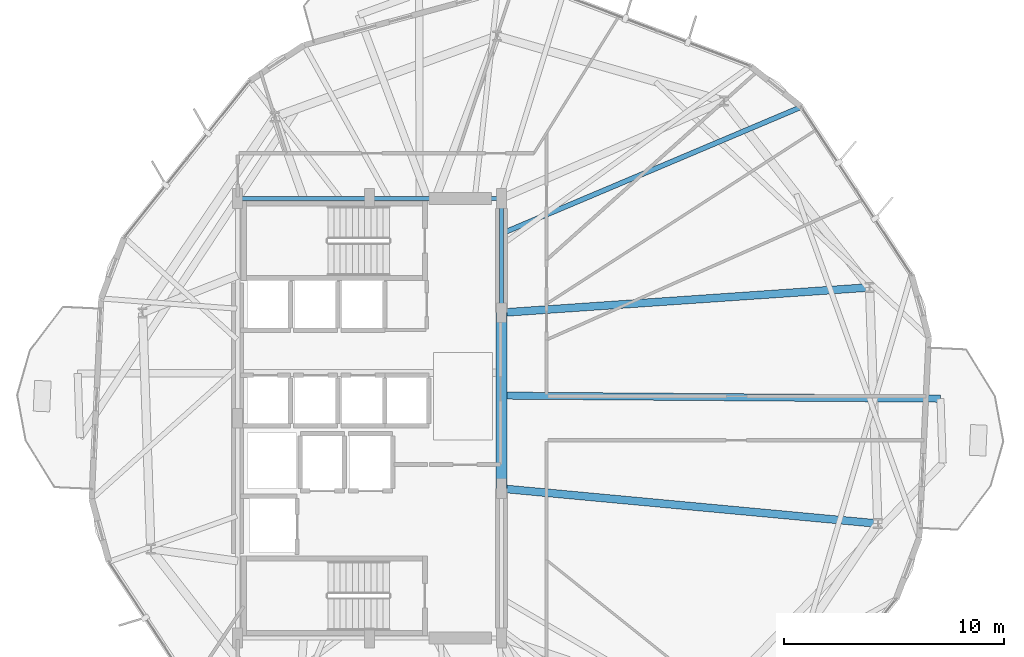
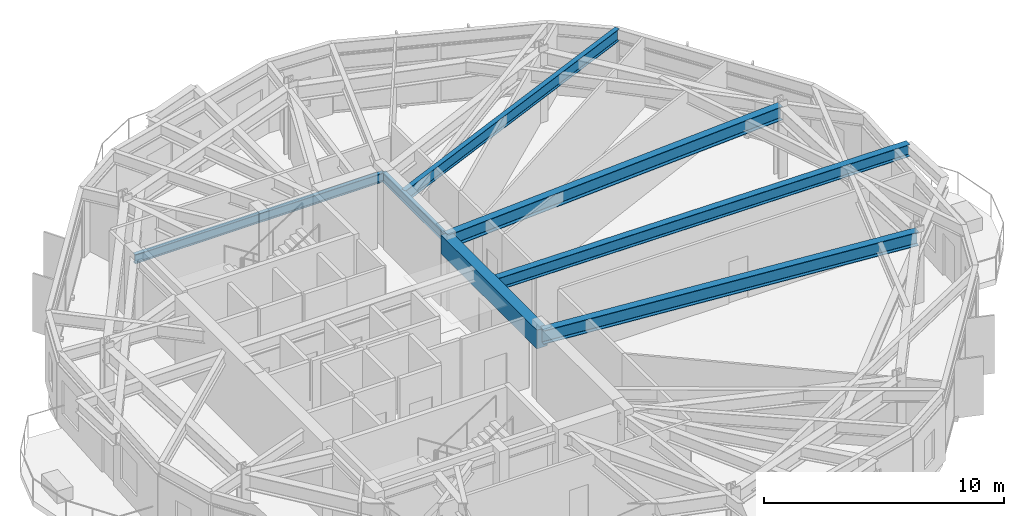
# One storey, part 7 of 25: 8 beams.
"""IFC4 building model written with IfcOpenShell, lengths in metres."""

from ifc_helpers import new_model, si_unit, direction, frame, origin, origin_2d, place, context, subcontext, project, spatial, rectangle, i_section, extrude, material, material_profile, profile_set, type_object, element, save


model = new_model("IFC4")

# Units and contexts
model_context = context("Model", 3, precision=1e-05, world=origin(), true_north=direction((0.0, 1.0)))
body_context = subcontext(model_context, "Body", "Model", "MODEL_VIEW")
ifc_project = project(units=[si_unit("LENGTHUNIT", "METRE"), si_unit("AREAUNIT", "SQUARE_METRE"), si_unit("VOLUMEUNIT", "CUBIC_METRE"), si_unit("PLANEANGLEUNIT", "RADIAN"), si_unit("MASSUNIT", "GRAM", prefix="KILO")], contexts=[model_context])

# Site, building, storey
site_placement = place(None, origin())
site = spatial("IfcSite", under=ifc_project, at=site_placement, CompositionType="ELEMENT")
building_placement = place(site_placement, origin())
building = spatial("IfcBuilding", under=site, at=building_placement, Name="Soratama Intermodal Tower", CompositionType="ELEMENT")
storey_placement = place(building_placement, frame((0.0, 0.0, 87.39990234375)))
storey = spatial("IfcBuildingStorey", under=building, at=storey_placement, Name="L20", CompositionType="ELEMENT", Elevation=87.39990234375)

# Beams
ifc_material_1 = material(Name="Structural steel ASTM A992 Grade 50", Category="steel")
ifc_material_profile_1 = material_profile(ifc_material_1, i_section(OverallWidth=0.324951171875, OverallDepth=0.615966796875, WebThickness=0.013916015625, FlangeThickness=0.021484375, FilletRadius=0.013916015625, at=origin_2d()), Name="W24X117")
ifc_profile_set_1 = profile_set([ifc_material_profile_1], Name="Structural steel ASTM A992 Grade 50")
beam_type_1 = type_object("IfcBeamType", Name="BM-CANT-W24X117", PredefinedType="BEAM", material=ifc_profile_set_1)
beam_1_placement = place(storey_placement, frame((44.8349609375, 26.027099609375, 3.2919921875), z_axis=(0.99997480962, -0.007097895813, 0.0), x_axis=(0.007097895813, 0.99997480962, 0.0)))
element("IfcBeam", 1, at=beam_1_placement, inside=storey, type_object=beam_type_1, Name="BM-L20-CANT-1-2", PredefinedType="BEAM", context=body_context, shape_type="SweptSolid", body=[
    extrude(i_section(OverallWidth=0.324951171875, OverallDepth=0.615966796875, WebThickness=0.013916015625, FlangeThickness=0.021484375, FilletRadius=0.013916015625, at=origin_2d()), origin(), (0.0, 0.0, 1.0), 19.743408203125),
])
ifc_material_2 = material(Name="Concrete f'c 56 MPa", Category="concrete")
ifc_material_profile_2 = material_profile(ifc_material_2, rectangle(XDim=0.5, YDim=0.949951171875, at=origin_2d()), Name="RC500X950")
ifc_profile_set_2 = profile_set([ifc_material_profile_2], Name="Concrete f'c 56 MPa")
beam_type_2 = type_object("IfcBeamType", Name="BM-CPL-RC500X950", PredefinedType="BEAM", material=ifc_profile_set_2)
beam_2_placement = place(storey_placement, frame((44.60009765625, 21.800048828125, 3.125), z_axis=(0.0, 1.0, 0.0), x_axis=(-1.0, 0.0, 0.0)))
element("IfcBeam", 2, at=beam_2_placement, inside=storey, type_object=beam_type_2, Name="L20 Core Coupling Beam East", PredefinedType="BEAM", context=body_context, shape_type="SweptSolid", body=[
    extrude(rectangle(XDim=0.5, YDim=0.949951171875, at=origin_2d()), origin(), (0.0, 0.0, 1.0), 8.0),
])
ifc_material_3 = material(Name="Structural steel ASTM A992 Grade 50", Category="steel")
ifc_material_profile_3 = material_profile(ifc_material_3, i_section(OverallWidth=0.19091796875, OverallDepth=0.4599609375, WebThickness=0.010009765625, FlangeThickness=0.01611328125, FilletRadius=0.010986328125, at=origin_2d()), Name="W18X55")
ifc_profile_set_3 = profile_set([ifc_material_profile_3], Name="Structural steel ASTM A992 Grade 50")
beam_type_3 = type_object("IfcBeamType", Name="BM-FLR-W18X55", PredefinedType="BEAM", material=ifc_profile_set_3)
beam_3_placement = place(storey_placement, frame((44.60009765625, 29.800048828125, 3.3701171875), z_axis=(0.0, 1.0, 0.0), x_axis=(-1.0, 0.0, 0.0)))
element("IfcBeam", 3, at=beam_3_placement, inside=storey, type_object=beam_type_3, Name="BM-L20-CRING-05", PredefinedType="BEAM", context=body_context, shape_type="SweptSolid", body=[
    extrude(i_section(OverallWidth=0.19091796875, OverallDepth=0.4599609375, WebThickness=0.010009765625, FlangeThickness=0.01611328125, FilletRadius=0.010986328125, at=origin_2d()), origin(), (0.0, 0.0, 1.0), 5.199951171875),
])
for number, where, z_axis, x_axis, name in (
    (4, (44.60009765625, 35.0, 3.3701171875), (-1.0, 0.0, 0.0), (0.0, -1.0, 0.0), "BM-L20-CRING-06"),
    (5, (38.60009765625, 35.0, 3.3701171875), (-1.0, 0.0, 0.0), (0.0, -1.0, 0.0), "BM-L20-CRING-07"),
):
    element("IfcBeam", number, at=place(storey_placement, frame(where, z_axis=z_axis, x_axis=x_axis)), inside=storey, type_object=beam_type_3, Name=name, PredefinedType="BEAM", context=body_context, shape_type="SweptSolid", body=[
        extrude(i_section(OverallWidth=0.19091796875, OverallDepth=0.4599609375, WebThickness=0.010009765625, FlangeThickness=0.01611328125, FilletRadius=0.010986328125, at=origin_2d()), origin(), (0.0, 0.0, 1.0), 6.0),
    ])
ifc_material_4 = material(Name="Structural steel ASTM A992 Grade 50", Category="steel")
ifc_material_profile_4 = material_profile(ifc_material_4, i_section(OverallWidth=0.35498046875, OverallDepth=0.695068359375, WebThickness=0.015380859375, FlangeThickness=0.02490234375, FilletRadius=0.01611328125, at=origin_2d()), Name="W27X146")
ifc_profile_set_4 = profile_set([ifc_material_profile_4], Name="Structural steel ASTM A992 Grade 50")
beam_type_4 = type_object("IfcBeamType", Name="BM-RING-W27X146", PredefinedType="BEAM", material=ifc_profile_set_4)
beam_4_placement = place(storey_placement, frame((44.60009765625, 29.800048828125, 3.252685546875), z_axis=(0.99764812202, 0.06854359656, 0.0), x_axis=(-0.06854359656, 0.99764812202, 0.0)))
element("IfcBeam", 6, at=beam_4_placement, inside=storey, type_object=beam_type_4, Name="BM-L20-RAD-01", PredefinedType="BEAM", context=body_context, shape_type="SweptSolid", body=[
    extrude(i_section(OverallWidth=0.35498046875, OverallDepth=0.695068359375, WebThickness=0.015380859375, FlangeThickness=0.02490234375, FilletRadius=0.01611328125, at=origin_2d()), origin(), (0.0, 0.0, 1.0), 16.79052734375),
])
beam_5_placement = place(storey_placement, frame((44.60009765625, 21.800048828125, 3.252685546875), z_axis=(0.995686011515, -0.092786671855, 0.0), x_axis=(0.092786671855, 0.995686011515, 0.0)))
element("IfcBeam", 7, at=beam_5_placement, inside=storey, type_object=beam_type_4, Name="BM-L20-RAD-10", PredefinedType="BEAM", context=body_context, shape_type="SweptSolid", body=[
    extrude(i_section(OverallWidth=0.35498046875, OverallDepth=0.695068359375, WebThickness=0.015380859375, FlangeThickness=0.02490234375, FilletRadius=0.01611328125, at=origin_2d()), origin(), (0.0, 0.0, 1.0), 17.2001953125),
])
ifc_material_5 = material(Name="Structural steel ASTM A992 Grade 50", Category="steel")
ifc_material_profile_5 = material_profile(ifc_material_5, i_section(OverallWidth=0.22900390625, OverallDepth=0.612060546875, WebThickness=0.011962890625, FlangeThickness=0.01953125, FilletRadius=0.012939453125, at=origin_2d()), Name="W24X84")
ifc_profile_set_5 = profile_set([ifc_material_profile_5], Name="Structural steel ASTM A992 Grade 50")
beam_type_5 = type_object("IfcBeamType", Name="BM-TIE-W24X84", PredefinedType="BEAM", material=ifc_profile_set_5)
beam_6_placement = place(storey_placement, frame((44.636962890625, 33.409912109375, 3.294189453125), z_axis=(0.921073702786, 0.389388281842, 0.0), x_axis=(-0.389388281842, 0.921073702786, 0.0)))
element("IfcBeam", 8, at=beam_6_placement, inside=storey, type_object=beam_type_5, Name="BM-L20-TIE1-01", PredefinedType="BEAM", context=body_context, shape_type="SweptSolid", body=[
    extrude(i_section(OverallWidth=0.22900390625, OverallDepth=0.612060546875, WebThickness=0.011962890625, FlangeThickness=0.01953125, FilletRadius=0.012939453125, at=origin_2d()), origin(), (0.0, 0.0, 1.0), 14.77734375),
])

save(model, "model.ifc")
